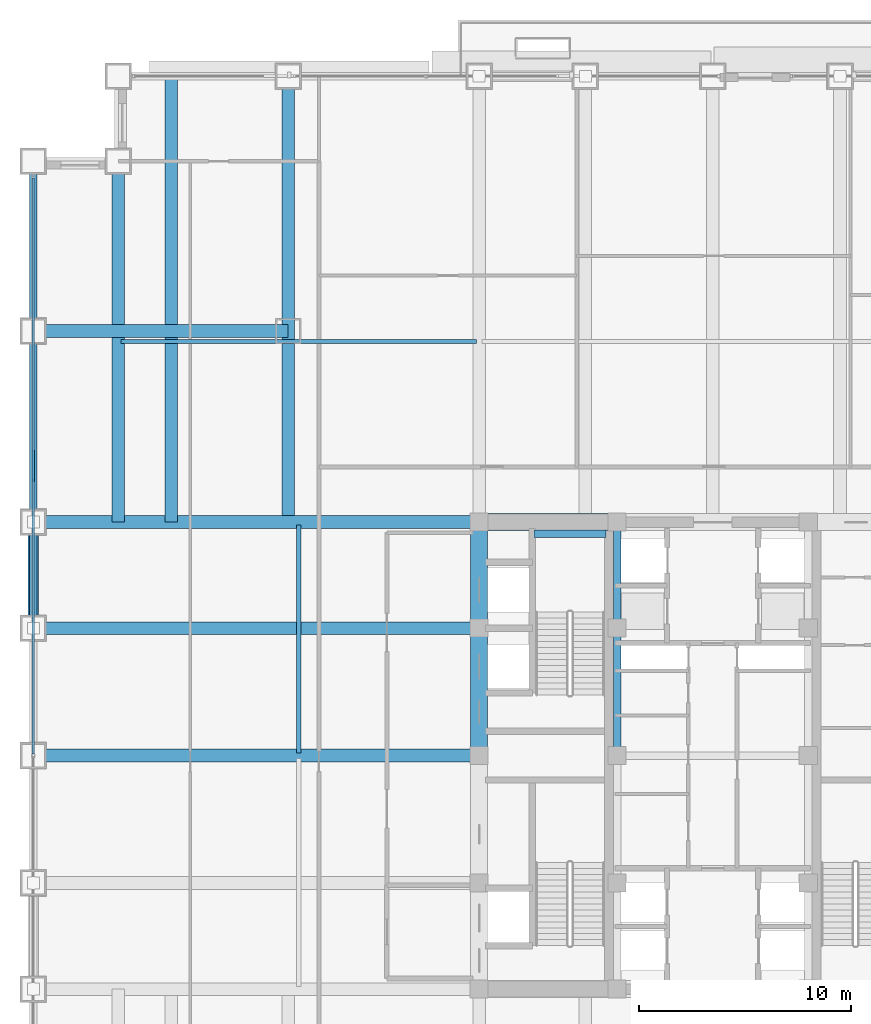
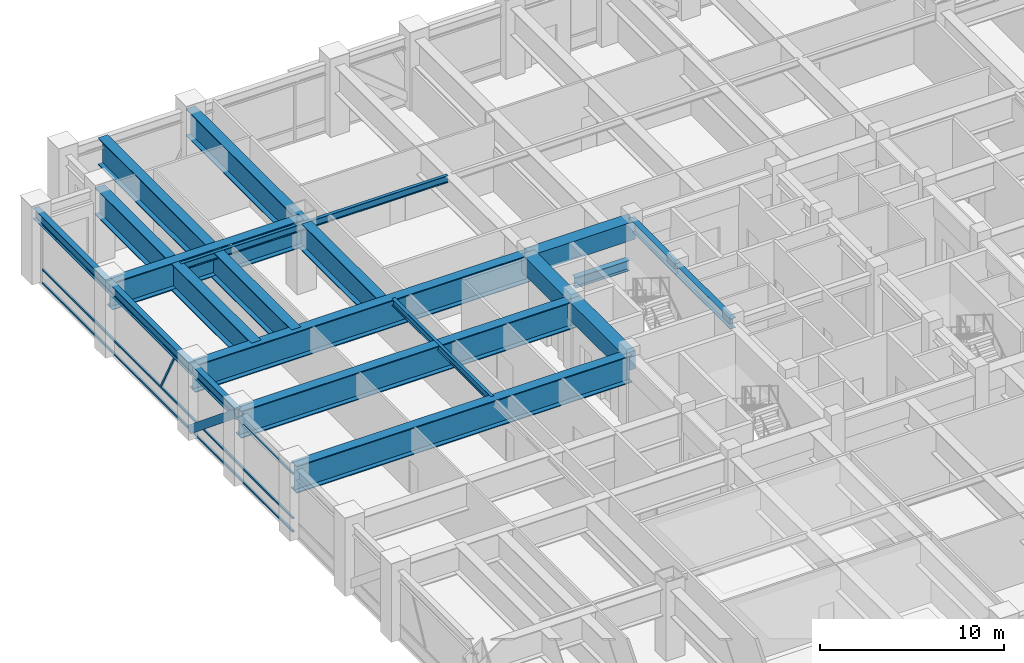
# One storey, part 11 of 34: 18 beams, 5 members, 1 element without a shape of its own.
"""IFC4 building model written with IfcOpenShell, lengths in metres."""

from ifc_helpers import new_model, si_unit, direction, frame, origin, origin_2d, place, context, subcontext, project, spatial, rectangle, hollow_rectangle, i_section, extrude, source, transform, mapped, material, material_profile, profile_set, type_object, element, aggregate, save


model = new_model("IFC4")

# Units and contexts
model_context = context("Model", 3, precision=1e-05, world=origin(), true_north=direction((0.0, 1.0)))
body_context = subcontext(model_context, "Body", "Model", "MODEL_VIEW")
ifc_project = project(units=[si_unit("LENGTHUNIT", "METRE"), si_unit("AREAUNIT", "SQUARE_METRE"), si_unit("VOLUMEUNIT", "CUBIC_METRE"), si_unit("PLANEANGLEUNIT", "RADIAN"), si_unit("MASSUNIT", "GRAM", prefix="KILO")], contexts=[model_context])

# Site, building, storey
site_placement = place(None, origin())
site = spatial("IfcSite", under=ifc_project, at=site_placement, CompositionType="ELEMENT")
building_placement = place(site_placement, origin())
building = spatial("IfcBuilding", under=site, at=building_placement, Name="Khorayat Bourse Tower", CompositionType="ELEMENT")
storey_placement = place(building_placement, frame((0.0, 0.0, 144.699951171875)))
storey = spatial("IfcBuildingStorey", under=building, at=storey_placement, Name="L33", CompositionType="ELEMENT", Elevation=144.699951171875)

# Beams
ifc_material_1 = material(Name="Concrete C72/90", Category="concrete")
ifc_material_profile_1 = material_profile(ifc_material_1, rectangle(XDim=0.800048828125, YDim=1.199951171875, at=origin_2d()), Name="RC 800x1200")
ifc_profile_set_1 = profile_set([ifc_material_profile_1], Name="Concrete C72/90")
beam_type_1 = type_object("IfcBeamType", Name="BM-COUP-1200", PredefinedType="BEAM", material=ifc_profile_set_1)
shared_shape_1 = source(origin(), body_context, "Body", "SweptSolid", [
    extrude(rectangle(XDim=0.800048828125, YDim=1.199951171875, at=origin_2d()), origin(), (0.0, 0.0, 1.0), 5.0),
])
beam_1_placement = place(storey_placement, frame((-11.0, 6.0, 4.0), z_axis=(0.0, 1.0, 0.0), x_axis=(-1.0, 0.0, 0.0)))
element("IfcBeam", 1, at=beam_1_placement, inside=storey, type_object=beam_type_1, Name="L33 BM-COUP-1200 BM-L33-CRX-04", PredefinedType="BEAM", context=body_context, shape_type="MappedRepresentation", body=[
    mapped(shared_shape_1, transform((0.0, 0.0, 0.0), scale=1.0)),
])
shared_shape_2 = source(origin(), body_context, "Body", "SweptSolid", [
    extrude(rectangle(XDim=0.800048828125, YDim=1.199951171875, at=origin_2d()), origin(), (0.0, 0.0, 1.0), 6.0),
])
beam_2_placement = place(storey_placement, frame((-11.0, 0.0, 4.0), z_axis=(0.0, 1.0, 0.0), x_axis=(-1.0, 0.0, 0.0)))
element("IfcBeam", 2, at=beam_2_placement, inside=storey, type_object=beam_type_1, Name="L33 BM-COUP-1200 BM-L33-CRX-03", PredefinedType="BEAM", context=body_context, shape_type="MappedRepresentation", body=[
    mapped(shared_shape_2, transform((0.0, 0.0, 0.0), scale=1.0)),
])
ifc_material_2 = material(Name="Steel ASTM A992 Grade 50", Category="steel")
ifc_material_profile_2 = material_profile(ifc_material_2, i_section(OverallWidth=0.35498046875, OverallDepth=0.695068359375, WebThickness=0.015380859375, FlangeThickness=0.02490234375, FilletRadius=0.01806640625, at=origin_2d()), Name="W690X217")
ifc_profile_set_2 = profile_set([ifc_material_profile_2], Name="Steel ASTM A992 Grade 50")
beam_type_2 = type_object("IfcBeamType", Name="BM-GIRD-690", PredefinedType="BEAM", material=ifc_profile_set_2)
shared_shape_3 = source(origin(), body_context, "Body", "SweptSolid", [
    extrude(i_section(OverallWidth=0.35498046875, OverallDepth=0.695068359375, WebThickness=0.015380859375, FlangeThickness=0.02490234375, FilletRadius=0.01806640625, at=origin_2d()), origin(), (0.0, 0.0, 1.0), 5.0),
])
beam_3_placement = place(storey_placement, frame((-4.5, 6.0, 4.25244140625), z_axis=(0.0, 1.0, 0.0), x_axis=(-1.0, 0.0, 0.0)))
element("IfcBeam", 3, at=beam_3_placement, inside=storey, type_object=beam_type_2, Name="L33 BM-GIRD-690 BM-L33-CRX-08", PredefinedType="BEAM", context=body_context, shape_type="MappedRepresentation", body=[
    mapped(shared_shape_3, transform((0.0, 0.0, 0.0), scale=1.0)),
])
shared_shape_4 = source(origin(), body_context, "Body", "SweptSolid", [
    extrude(i_section(OverallWidth=0.35498046875, OverallDepth=0.695068359375, WebThickness=0.015380859375, FlangeThickness=0.02490234375, FilletRadius=0.01806640625, at=origin_2d()), origin(), (0.0, 0.0, 1.0), 6.0),
])
beam_4_placement = place(storey_placement, frame((-4.5, 0.0, 4.25244140625), z_axis=(0.0, 1.0, 0.0), x_axis=(-1.0, 0.0, 0.0)))
element("IfcBeam", 4, at=beam_4_placement, inside=storey, type_object=beam_type_2, Name="L33 BM-GIRD-690 BM-L33-CRX-07", PredefinedType="BEAM", context=body_context, shape_type="MappedRepresentation", body=[
    mapped(shared_shape_4, transform((0.0, 0.0, 0.0), scale=1.0)),
])
shared_shape_5 = source(origin(), body_context, "Body", "SweptSolid", [
    extrude(rectangle(XDim=0.800048828125, YDim=1.199951171875, at=origin_2d()), origin(), (0.0, 0.0, 1.0), 6.5),
])
beam_5_placement = place(storey_placement, frame((-11.0, 11.0, 4.0), z_axis=(1.0, 0.0, 0.0), x_axis=(0.0, 1.0, 0.0)))
element("IfcBeam", 5, at=beam_5_placement, inside=storey, type_object=beam_type_1, Name="L33 BM-COUP-1200 BM-L33-CRY-20", PredefinedType="BEAM", context=body_context, shape_type="MappedRepresentation", body=[
    mapped(shared_shape_5, transform((0.0, 0.0, 0.0), scale=1.0)),
])
shared_shape_6 = source(origin(), body_context, "Body", "SweptSolid", [
    extrude(i_section(OverallWidth=0.35498046875, OverallDepth=0.695068359375, WebThickness=0.015380859375, FlangeThickness=0.02490234375, FilletRadius=0.01806640625, at=origin_2d()), origin(), (0.0, 0.0, 1.0), 3.39990234375),
])
beam_6_placement = place(storey_placement, frame((-8.419921875, 10.449951171875, 2.052490234375), z_axis=(1.0, 0.0, 0.0), x_axis=(0.0, 1.0, 0.0)))
element("IfcBeam", 6, at=beam_6_placement, inside=storey, type_object=beam_type_2, Name="L33 BM-GIRD-690 BM-L33-ST2L", PredefinedType="BEAM", context=body_context, shape_type="MappedRepresentation", body=[
    mapped(shared_shape_6, transform((0.0, 0.0, 0.0), scale=1.0)),
])
ifc_material_3 = material(Name="Steel EN 10025-4 S460M", Category="steel")
ifc_material_profile_3 = material_profile(ifc_material_3, i_section(OverallWidth=0.60009765625, OverallDepth=1.800048828125, WebThickness=0.031982421875, FlangeThickness=0.06005859375, at=origin_2d()), Name="PG 1800x600x32x60")
ifc_profile_set_3 = profile_set([ifc_material_profile_3], Name="Steel EN 10025-4 S460M")
beam_type_3 = type_object("IfcBeamType", Name="BM-TR-1800", PredefinedType="BEAM", material=ifc_profile_set_3)
shared_shape_7 = source(origin(), body_context, "Body", "SweptSolid", [
    extrude(i_section(OverallWidth=0.60009765625, OverallDepth=1.800048828125, WebThickness=0.031982421875, FlangeThickness=0.06005859375, at=origin_2d()), origin(), (0.0, 0.0, 1.0), 12.0),
])
beam_7_placement = place(storey_placement, frame((-32.0, 20.0, 3.699951171875), z_axis=(1.0, 0.0, 0.0), x_axis=(0.0, 1.0, 0.0)))
element("IfcBeam", 7, at=beam_7_placement, inside=storey, type_object=beam_type_3, Name="L33 BM-TR-1800 BM-L33-CNRX-099", PredefinedType="BEAM", context=body_context, shape_type="MappedRepresentation", body=[
    mapped(shared_shape_7, transform((0.0, 0.0, 0.0), scale=1.0)),
])
ifc_material_profile_4 = material_profile(ifc_material_2, i_section(OverallWidth=0.35498046875, OverallDepth=0.695068359375, WebThickness=0.015380859375, FlangeThickness=0.02490234375, FilletRadius=0.01806640625, at=origin_2d()), Name="W690X217")
ifc_profile_set_4 = profile_set([ifc_material_profile_4], Name="Steel ASTM A992 Grade 50")
beam_type_4 = type_object("IfcBeamType", Name="BM-SPAN-690", PredefinedType="SPANDREL", material=ifc_profile_set_4)
shared_shape_8 = source(origin(), body_context, "Body", "SweptSolid", [
    extrude(i_section(OverallWidth=0.35498046875, OverallDepth=0.695068359375, WebThickness=0.015380859375, FlangeThickness=0.02490234375, FilletRadius=0.01806640625, at=origin_2d()), origin(), (0.0, 0.0, 1.0), 9.0),
])
beam_8_placement = place(storey_placement, frame((-32.0, 11.0, 4.25244140625), z_axis=(0.0, 1.0, 0.0), x_axis=(-1.0, 0.0, 0.0)))
element("IfcBeam", 8, at=beam_8_placement, inside=storey, type_object=beam_type_4, Name="L33 BM-SPAN-690 BM-L33-SPN-055", PredefinedType="SPANDREL", context=body_context, shape_type="MappedRepresentation", body=[
    mapped(shared_shape_8, transform((0.0, 0.0, 0.0), scale=1.0)),
])
shared_shape_9 = source(origin(), body_context, "Body", "SweptSolid", [
    extrude(i_section(OverallWidth=0.35498046875, OverallDepth=0.695068359375, WebThickness=0.015380859375, FlangeThickness=0.02490234375, FilletRadius=0.01806640625, at=origin_2d()), origin(), (0.0, 0.0, 1.0), 5.0),
])
beam_9_placement = place(storey_placement, frame((-32.0, 6.0, 4.25244140625), z_axis=(0.0, 1.0, 0.0), x_axis=(-1.0, 0.0, 0.0)))
element("IfcBeam", 9, at=beam_9_placement, inside=storey, type_object=beam_type_4, Name="L33 BM-SPAN-690 BM-L33-SPN-056", PredefinedType="SPANDREL", context=body_context, shape_type="MappedRepresentation", body=[
    mapped(shared_shape_9, transform((0.0, 0.0, 0.0), scale=1.0)),
])
ifc_material_profile_5 = material_profile(ifc_material_2, i_section(OverallWidth=0.194091796875, OverallDepth=0.468994140625, WebThickness=0.0126953125, FlangeThickness=0.0205078125, FilletRadius=0.012939453125, at=origin_2d()), Name="W460X106")
ifc_profile_set_5 = profile_set([ifc_material_profile_5], Name="Steel ASTM A992 Grade 50")
beam_type_5 = type_object("IfcBeamType", Name="BM-JOIST-460", PredefinedType="JOIST", material=ifc_profile_set_5)
shared_shape_10 = source(origin(), body_context, "Body", "SweptSolid", [
    extrude(i_section(OverallWidth=0.194091796875, OverallDepth=0.468994140625, WebThickness=0.0126953125, FlangeThickness=0.0205078125, FilletRadius=0.012939453125, at=origin_2d()), origin(), (0.0, 0.0, 1.0), 10.740234375),
])
beam_10_placement = place(storey_placement, frame((-19.5, 0.1298828125, 4.365478515625), z_axis=(0.0, 1.0, 0.0), x_axis=(-1.0, 0.0, 0.0)))
element("IfcBeam", 10, at=beam_10_placement, inside=storey, type_object=beam_type_5, Name="L33 BM-JOIST-460 BM-L33-JSTY-111", PredefinedType="JOIST", context=body_context, shape_type="MappedRepresentation", body=[
    mapped(shared_shape_10, transform((0.0, 0.0, 0.0), scale=1.0)),
])
shared_shape_11 = source(origin(), body_context, "Body", "SweptSolid", [
    extrude(i_section(OverallWidth=0.35498046875, OverallDepth=0.695068359375, WebThickness=0.015380859375, FlangeThickness=0.02490234375, FilletRadius=0.01806640625, at=origin_2d()), origin(), (0.0, 0.0, 1.0), 8.0),
])
beam_11_placement = place(storey_placement, frame((-32.0, 20.0, 4.25244140625), z_axis=(0.0, 1.0, 0.0), x_axis=(-1.0, 0.0, 0.0)))
element("IfcBeam", 11, at=beam_11_placement, inside=storey, type_object=beam_type_4, Name="L33 BM-SPAN-690 BM-L33-SPN-054", PredefinedType="SPANDREL", context=body_context, shape_type="MappedRepresentation", body=[
    mapped(shared_shape_11, transform((0.0, 0.0, 0.0), scale=1.0)),
])
shared_shape_12 = source(origin(), body_context, "Body", "SweptSolid", [
    extrude(i_section(OverallWidth=0.194091796875, OverallDepth=0.468994140625, WebThickness=0.0126953125, FlangeThickness=0.0205078125, FilletRadius=0.012939453125, at=origin_2d()), origin(), (0.0, 0.0, 1.0), 16.740234375),
])
beam_12_placement = place(storey_placement, frame((-27.8701171875, 19.5, 4.365478515625), z_axis=(1.0, 0.0, 0.0), x_axis=(0.0, 1.0, 0.0)))
element("IfcBeam", 12, at=beam_12_placement, inside=storey, type_object=beam_type_5, Name="L33 BM-JOIST-460 BM-L33-JSTX-107", PredefinedType="JOIST", context=body_context, shape_type="MappedRepresentation", body=[
    mapped(shared_shape_12, transform((0.0, 0.0, 0.0), scale=1.0)),
])
shared_shape_13 = source(origin(), body_context, "Body", "SweptSolid", [
    extrude(i_section(OverallWidth=0.60009765625, OverallDepth=1.800048828125, WebThickness=0.031982421875, FlangeThickness=0.06005859375, at=origin_2d()), origin(), (0.0, 0.0, 1.0), 21.0),
])
for number, where, z_axis, x_axis, name in (
    (13, (-32.0, 0.0, 3.699951171875), (1.0, 0.0, 0.0), (0.0, 1.0, 0.0), "L33 BM-TR-1800 BM-L33-RADX-079"),
    (14, (-32.0, 6.0, 3.699951171875), (1.0, 0.0, 0.0), (0.0, 1.0, 0.0), "L33 BM-TR-1800 BM-L33-RADX-081"),
    (15, (-32.0, 11.0, 3.699951171875), (1.0, 0.0, 0.0), (0.0, 1.0, 0.0), "L33 BM-TR-1800 BM-L33-RADX-083"),
    (16, (-20.0, 11.0, 3.699951171875), (0.0, 1.0, 0.0), (-1.0, 0.0, 0.0), "L33 BM-TR-1800 BM-L33-CNRY-085"),
    (17, (-25.5, 11.0, 3.699951171875), (0.0, 1.0, 0.0), (-1.0, 0.0, 0.0), "L33 BM-TR-1800 BM-L33-CNRY-089"),
):
    element("IfcBeam", number, at=place(storey_placement, frame(where, z_axis=z_axis, x_axis=x_axis)), inside=storey, type_object=beam_type_3, Name=name, PredefinedType="BEAM", context=body_context, shape_type="MappedRepresentation", body=[
        mapped(shared_shape_13, transform((0.0, 0.0, 0.0), scale=1.0)),
    ])
shared_shape_14 = source(origin(), body_context, "Body", "SweptSolid", [
    extrude(i_section(OverallWidth=0.60009765625, OverallDepth=1.800048828125, WebThickness=0.031982421875, FlangeThickness=0.06005859375, at=origin_2d()), origin(), (0.0, 0.0, 1.0), 17.0),
])
beam_13_placement = place(storey_placement, frame((-28.0, 11.0, 3.699951171875), z_axis=(0.0, 1.0, 0.0), x_axis=(-1.0, 0.0, 0.0)))
element("IfcBeam", 18, at=beam_13_placement, inside=storey, type_object=beam_type_3, Name="L33 BM-TR-1800 BM-L33-CNRY-093", PredefinedType="BEAM", context=body_context, shape_type="MappedRepresentation", body=[
    mapped(shared_shape_14, transform((0.0, 0.0, 0.0), scale=1.0)),
])

# Member
ifc_material_profile_6 = material_profile(ifc_material_3, hollow_rectangle(XDim=0.5, YDim=0.5, WallThickness=0.028076171875, at=origin_2d()), Name="HSS 500x500x28")
ifc_profile_set_6 = profile_set([ifc_material_profile_6], Name="Steel EN 10025-4 S460M")
member_type_1 = type_object("IfcMemberType", Name="MBR-TUBE-500", PredefinedType="BRACE", material=ifc_profile_set_6)
shared_shape_15 = source(origin(), body_context, "Body", "SweptSolid", [
    extrude(hollow_rectangle(XDim=0.5, YDim=0.5, WallThickness=0.028076171875, at=origin_2d()), origin(), (0.0, 0.0, 1.0), 6.466064453125),
])
member_1_placement = place(storey_placement, frame((-32.0, 6.0, 4.35009765625), z_axis=(0.0, 0.773260385368, -0.634088618744), x_axis=(-1.0, 0.0, 0.0)))
element("IfcMember", 19, at=member_1_placement, inside=storey, type_object=member_type_1, Name="L33 Perimeter Tube Brace 06", PredefinedType="BRACE", context=body_context, shape_type="MappedRepresentation", body=[
    mapped(shared_shape_15, transform((0.0, 0.0, 0.0), scale=1.0)),
])

# Curtain wall, members
ifc_material_4 = material(Name="Aluminium EN AW-6063 T6", Category="aluminium")
curtain_wall_type = type_object("IfcCurtainWallType", Name="CW-SYS-05", PredefinedType="NOTDEFINED", material=ifc_material_4)
curtain_wall_placement = place(storey_placement, origin())
curtain_wall = element("IfcCurtainWall", 20, at=curtain_wall_placement, inside=storey, type_object=curtain_wall_type, Name="L33 Curtain Wall CW-L33-W1", PredefinedType="NOTDEFINED")
ifc_material_profile_7 = material_profile(ifc_material_4, hollow_rectangle(XDim=0.1201171875, YDim=0.1201171875, WallThickness=0.0048828125, at=origin_2d()), Name="ALU 120x120x5")
ifc_profile_set_7 = profile_set([ifc_material_profile_7], Name="Aluminium EN AW-6063 T6")
member_type_2 = type_object("IfcMemberType", Name="CWM-DIAG-120", PredefinedType="MULLION", material=ifc_profile_set_7)
shared_shape_16 = source(origin(), body_context, "Body", "SweptSolid", [
    extrude(hollow_rectangle(XDim=0.1201171875, YDim=0.1201171875, WallThickness=0.0048828125, at=origin_2d()), origin(), (0.0, 0.0, 1.0), 3.005859375),
])
member_2_placement = place(storey_placement, frame((-32.0, 14.340087890625, 1.090087890625), z_axis=(0.0, -0.465796644007, 0.884891793629), x_axis=(1.0, 0.0, 0.0)))
member_2 = element("IfcMember", 21, at=member_2_placement, type_object=member_type_2, Name="CW-L33-W1 Faceted Diagonal Mullion 2", PredefinedType="MULLION", context=body_context, shape_type="MappedRepresentation", body=[
    mapped(shared_shape_16, transform((0.0, 0.0, 0.0), scale=1.0)),
])
ifc_material_profile_8 = material_profile(ifc_material_4, hollow_rectangle(XDim=0.1201171875, YDim=0.1201171875, WallThickness=0.0048828125, at=origin_2d()), Name="ALU 120x120x5")
ifc_profile_set_8 = profile_set([ifc_material_profile_8], Name="Aluminium EN AW-6063 T6")
member_type_3 = type_object("IfcMemberType", Name="CWT-HORZ-120", PredefinedType="USERDEFINED", material=ifc_profile_set_8)
shared_shape_17 = source(origin(), body_context, "Body", "SweptSolid", [
    extrude(hollow_rectangle(XDim=0.1201171875, YDim=0.1201171875, WallThickness=0.0048828125, at=origin_2d()), origin(), (0.0, 0.0, 1.0), 27.139892578125),
])
member_3_placement = place(storey_placement, frame((-32.0, 0.070068359375, 0.06005859375), z_axis=(0.0, 1.0, 0.0), x_axis=(-1.0, 0.0, 0.0)))
member_3 = element("IfcMember", 22, at=member_3_placement, type_object=member_type_3, Name="CW-L33-W1 Horizontal Transom 2-1", ObjectType="TRANSOM", PredefinedType="USERDEFINED", context=body_context, shape_type="MappedRepresentation", body=[
    mapped(shared_shape_17, transform((0.0, 0.0, 0.0), scale=1.0)),
])
member_4_placement = place(storey_placement, frame((-32.0, 0.070068359375, 0.949951171875), z_axis=(0.0, 1.0, 0.0), x_axis=(-1.0, 0.0, 0.0)))
member_4 = element("IfcMember", 23, at=member_4_placement, type_object=member_type_3, Name="CW-L33-W1 Horizontal Transom 2-2", ObjectType="TRANSOM", PredefinedType="USERDEFINED", context=body_context, shape_type="MappedRepresentation", body=[
    mapped(shared_shape_17, transform((0.0, 0.0, 0.0), scale=1.0)),
])
member_5_placement = place(storey_placement, frame((-32.0, 0.070068359375, 3.89013671875), z_axis=(0.0, 1.0, 0.0), x_axis=(-1.0, 0.0, 0.0)))
member_5 = element("IfcMember", 24, at=member_5_placement, type_object=member_type_3, Name="CW-L33-W1 Horizontal Transom 2-3", ObjectType="TRANSOM", PredefinedType="USERDEFINED", context=body_context, shape_type="MappedRepresentation", body=[
    mapped(shared_shape_17, transform((0.0, 0.0, 0.0), scale=1.0)),
])
aggregate(curtain_wall, [member_3, member_4, member_5, member_2])

save(model, "model.ifc")
